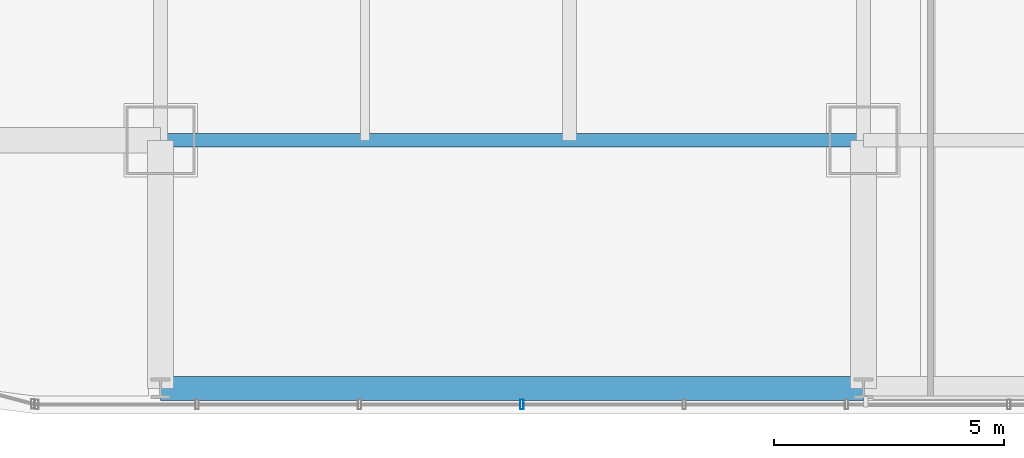
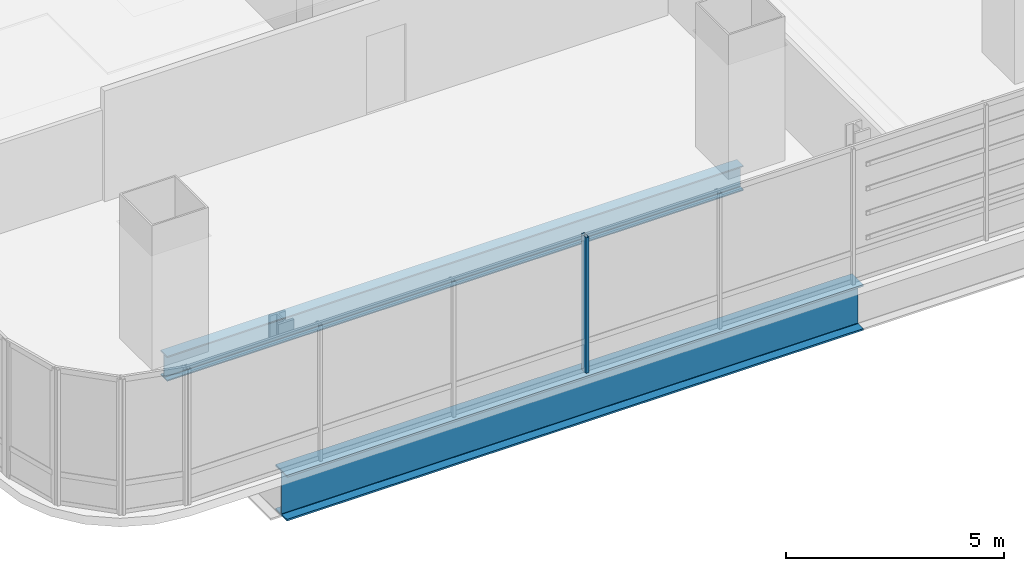
# One storey, part 3 of 36: 2 beams, 1 member, 1 element without a shape of its own.
"""IFC4 building model written with IfcOpenShell, lengths in metres."""

from ifc_helpers import new_model, si_unit, direction, frame, origin, origin_2d, place, context, subcontext, project, spatial, hollow_rectangle, i_section, extrude, material, material_profile, profile_set, type_object, element, aggregate, save


model = new_model("IFC4")

# Units and contexts
model_context = context("Model", 3, precision=1e-05, world=origin(), true_north=direction((0.0, 1.0)))
body_context = subcontext(model_context, "Body", "Model", "MODEL_VIEW")
ifc_project = project(units=[si_unit("LENGTHUNIT", "METRE"), si_unit("AREAUNIT", "SQUARE_METRE"), si_unit("VOLUMEUNIT", "CUBIC_METRE"), si_unit("PLANEANGLEUNIT", "RADIAN"), si_unit("MASSUNIT", "GRAM", prefix="KILO")], contexts=[model_context])

# Site, building, storey
site_placement = place(None, origin())
site = spatial("IfcSite", under=ifc_project, at=site_placement, CompositionType="ELEMENT")
building_placement = place(site_placement, origin())
building = spatial("IfcBuilding", under=site, at=building_placement, Name="Punatoya Terracotta Tower", CompositionType="ELEMENT")
storey_placement = place(building_placement, frame((0.0, 0.0, 32.25)))
storey = spatial("IfcBuildingStorey", under=building, at=storey_placement, Name="L06", CompositionType="ELEMENT", Elevation=32.25)

# Beams
ifc_material_1 = material(Name="Steel S355", Category="steel")
ifc_material_profile_1 = material_profile(ifc_material_1, i_section(OverallWidth=0.300048828125, OverallDepth=0.699951171875, WebThickness=0.01708984375, FlangeThickness=0.031982421875, FilletRadius=0.01806640625, at=origin_2d()))
ifc_profile_set_1 = profile_set([ifc_material_profile_1], Name="Steel S355")
beam_type_1 = type_object("IfcBeamType", Name="BM-PRI-700", PredefinedType="BEAM", material=ifc_profile_set_1)
beam_1_placement = place(storey_placement, frame((-19.10009765625, -17.5, -0.590087890625), z_axis=(1.0, 0.0, 0.0), x_axis=(0.0, 1.0, 0.0)))
element("IfcBeam", 1, at=beam_1_placement, inside=storey, type_object=beam_type_1, Name="BM-L06-RG-S1", PredefinedType="BEAM", context=body_context, shape_type="SweptSolid", body=[
    extrude(i_section(OverallWidth=0.300048828125, OverallDepth=0.699951171875, WebThickness=0.01708984375, FlangeThickness=0.031982421875, FilletRadius=0.01806640625, at=origin_2d()), origin(), (0.0, 0.0, 1.0), 15.300048828125),
])
ifc_material_2 = material(Name="Steel S460", Category="steel")
ifc_material_profile_2 = material_profile(ifc_material_2, i_section(OverallWidth=0.52001953125, OverallDepth=1.280029296875, WebThickness=0.031982421875, FlangeThickness=0.050048828125, FilletRadius=0.01806640625, at=origin_2d()))
ifc_profile_set_2 = profile_set([ifc_material_profile_2], Name="Steel S460")
beam_type_2 = type_object("IfcBeamType", Name="BM-TG-NCK", PredefinedType="BEAM", material=ifc_profile_set_2)
beam_2_placement = place(storey_placement, frame((-19.10009765625, -22.89990234375, -0.8798828125), z_axis=(1.0, 0.0, 0.0), x_axis=(0.0, 1.0, 0.0)))
element("IfcBeam", 2, at=beam_2_placement, inside=storey, type_object=beam_type_2, Name="BM-L06-PER-S1", PredefinedType="BEAM", context=body_context, shape_type="SweptSolid", body=[
    extrude(i_section(OverallWidth=0.52001953125, OverallDepth=1.280029296875, WebThickness=0.031982421875, FlangeThickness=0.050048828125, FilletRadius=0.01806640625, at=origin_2d()), origin(), (0.0, 0.0, 1.0), 15.300048828125),
])

# Curtain wall, member
ifc_material_3 = material(Name="Aluminium 6063-T6 + Double Low-E Glass", Category="aluminium")
curtain_wall_type = type_object("IfcCurtainWallType", Name="CW-M1", PredefinedType="NOTDEFINED", material=ifc_material_3)
curtain_wall_placement = place(storey_placement, origin())
curtain_wall = element("IfcCurtainWall", 3, at=curtain_wall_placement, inside=storey, type_object=curtain_wall_type, Name="L06 Curtain Wall CW-L06-S01-1", PredefinedType="NOTDEFINED")
ifc_material_4 = material(Name="Aluminium 6063-T6", Category="aluminium")
ifc_material_profile_3 = material_profile(ifc_material_4, hollow_rectangle(XDim=0.074951171875, YDim=0.2099609375, WallThickness=0.00439453125, at=origin_2d()))
ifc_profile_set_3 = profile_set([ifc_material_profile_3], Name="Aluminium 6063-T6")
member_type = type_object("IfcMemberType", Name="CW-MUL-M1", PredefinedType="MULLION", material=ifc_profile_set_3)
member_placement = place(storey_placement, frame((-11.235107421875, -23.25, 0.0), z_axis=(0.0, 0.0, 1.0), x_axis=(1.0, 0.0, 0.0)))
member = element("IfcMember", 4, at=member_placement, type_object=member_type, Name="CW-L06-S01-1 Mullion 03", PredefinedType="MULLION", context=body_context, shape_type="SweptSolid", body=[
    extrude(hollow_rectangle(XDim=0.074951171875, YDim=0.2099609375, WallThickness=0.00439453125, at=origin_2d()), origin(), (0.0, 0.0, 1.0), 3.81005859375),
])
aggregate(curtain_wall, [member])

save(model, "model.ifc")
